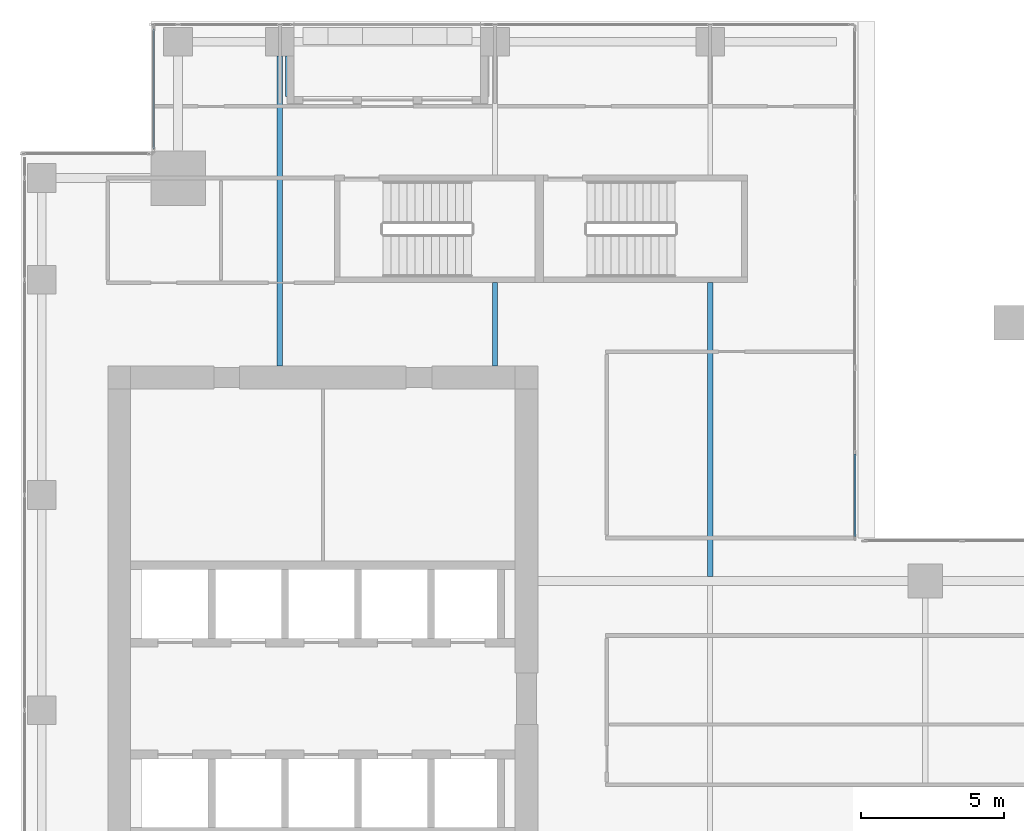
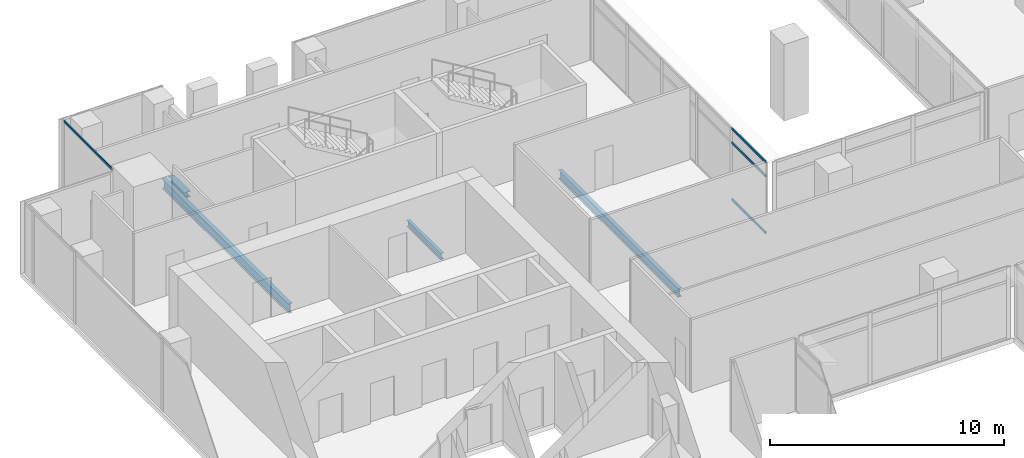
# One storey, part 20 of 38: 4 beams, 4 members, 2 elements without a shape of their own.
"""IFC4 building model written with IfcOpenShell, lengths in metres."""

from ifc_helpers import new_model, si_unit, direction, frame, origin, origin_2d, place, context, subcontext, project, spatial, hollow_rectangle, i_section, extrude, source, transform, mapped, material, material_profile, profile_set, type_object, element, aggregate, save


model = new_model("IFC4")

# Units and contexts
model_context = context("Model", 3, precision=1e-05, world=origin(), true_north=direction((0.0, 1.0)))
body_context = subcontext(model_context, "Body", "Model", "MODEL_VIEW")
ifc_project = project(units=[si_unit("LENGTHUNIT", "METRE"), si_unit("AREAUNIT", "SQUARE_METRE"), si_unit("VOLUMEUNIT", "CUBIC_METRE"), si_unit("PLANEANGLEUNIT", "RADIAN"), si_unit("MASSUNIT", "GRAM", prefix="KILO")], contexts=[model_context])

# Site, building, storey
site_placement = place(None, origin())
site = spatial("IfcSite", under=ifc_project, at=site_placement, CompositionType="ELEMENT")
building_placement = place(site_placement, origin())
building = spatial("IfcBuilding", under=site, at=building_placement, Name="Khomas Fold Tower", CompositionType="ELEMENT")
storey_placement = place(building_placement, frame((0.0, 0.0, 172.699951171875)))
storey = spatial("IfcBuildingStorey", under=building, at=storey_placement, Name="L37", CompositionType="ELEMENT", Elevation=172.699951171875)

# Beams
ifc_material_1 = material(Name="Steel S355", Category="steel")
ifc_material_profile_1 = material_profile(ifc_material_1, i_section(OverallWidth=0.18994140625, OverallDepth=0.449951171875, WebThickness=0.009521484375, FlangeThickness=0.0146484375, at=origin_2d()), Name="IPE 450")
ifc_profile_set_1 = profile_set([ifc_material_profile_1], Name="Steel S355")
beam_type_1 = type_object("IfcBeamType", Name="IPE 450 beam JB4", PredefinedType="BEAM", material=ifc_profile_set_1)
shared_shape_1 = source(origin(), body_context, "Body", "SweptSolid", [
    extrude(i_section(OverallWidth=0.18994140625, OverallDepth=0.449951171875, WebThickness=0.009521484375, FlangeThickness=0.0146484375, at=origin_2d()), origin(), (0.0, 0.0, 1.0), 10.25),
])
beam_1_placement = place(storey_placement, frame((27.0, 31.64990234375, -0.474853515625), z_axis=(0.0, 1.0, 0.0), x_axis=(-1.0, 0.0, 0.0)))
element("IfcBeam", 1, at=beam_1_placement, inside=storey, type_object=beam_type_1, Name="JB4", PredefinedType="BEAM", context=body_context, shape_type="MappedRepresentation", body=[
    mapped(shared_shape_1, transform((0.0, 0.0, 0.0))),
])
ifc_material_2 = material(Name="Steel S355", Category="steel")
ifc_material_profile_2 = material_profile(ifc_material_2, i_section(OverallWidth=0.199951171875, OverallDepth=0.5, WebThickness=0.01025390625, FlangeThickness=0.01611328125, at=origin_2d()), Name="IPE 500")
ifc_profile_set_2 = profile_set([ifc_material_profile_2], Name="Steel S355")
beam_type_2 = type_object("IfcBeamType", Name="IPE 500 beam JB5", PredefinedType="BEAM", material=ifc_profile_set_2)
shared_shape_2 = source(origin(), body_context, "Body", "SweptSolid", [
    extrude(i_section(OverallWidth=0.199951171875, OverallDepth=0.5, WebThickness=0.01025390625, FlangeThickness=0.01611328125, at=origin_2d()), origin(), (0.0, 0.0, 1.0), 10.800048828125),
])
beam_2_placement = place(storey_placement, frame((12.0, 39.0, -0.5), z_axis=(0.0, 1.0, 0.0), x_axis=(-1.0, 0.0, 0.0)))
element("IfcBeam", 2, at=beam_2_placement, inside=storey, type_object=beam_type_2, Name="JB5", PredefinedType="BEAM", context=body_context, shape_type="MappedRepresentation", body=[
    mapped(shared_shape_2, transform((0.0, 0.0, 0.0))),
])
ifc_material_3 = material(Name="Steel S355", Category="steel")
ifc_material_profile_3 = material_profile(ifc_material_3, i_section(OverallWidth=0.159912109375, OverallDepth=0.330078125, WebThickness=0.007568359375, FlangeThickness=0.011474609375, at=origin_2d()), Name="IPE 330")
ifc_profile_set_3 = profile_set([ifc_material_profile_3], Name="Steel S355")
beam_type_3 = type_object("IfcBeamType", Name="IPE 330 beam JB1", PredefinedType="BEAM", material=ifc_profile_set_3)
shared_shape_3 = source(origin(), body_context, "Body", "SweptSolid", [
    extrude(i_section(OverallWidth=0.159912109375, OverallDepth=0.330078125, WebThickness=0.007568359375, FlangeThickness=0.011474609375, at=origin_2d()), origin(), (0.0, 0.0, 1.0), 2.89990234375),
])
beam_3_placement = place(storey_placement, frame((19.5, 39.0, -0.4150390625), z_axis=(0.0, 1.0, 0.0), x_axis=(-1.0, 0.0, 0.0)))
element("IfcBeam", 3, at=beam_3_placement, inside=storey, type_object=beam_type_3, Name="JB1", PredefinedType="BEAM", context=body_context, shape_type="MappedRepresentation", body=[
    mapped(shared_shape_3, transform((0.0, 0.0, 0.0))),
])
ifc_material_4 = material(Name="Steel S355", Category="steel")
ifc_material_profile_4 = material_profile(ifc_material_4, i_section(OverallWidth=0.300048828125, OverallDepth=0.300048828125, WebThickness=0.010986328125, FlangeThickness=0.01904296875, at=origin_2d()), Name="HE 300 B")
ifc_profile_set_4 = profile_set([ifc_material_profile_4], Name="Steel S355")
beam_type_4 = type_object("IfcBeamType", Name="HE 300 B beam BB1", PredefinedType="BEAM", material=ifc_profile_set_4)
shared_shape_4 = source(origin(), body_context, "Body", "SweptSolid", [
    extrude(i_section(OverallWidth=0.300048828125, OverallDepth=0.300048828125, WebThickness=0.010986328125, FlangeThickness=0.01904296875, at=origin_2d()), origin(), (0.0, 0.0, 1.0), 1.400146484375),
])
beam_4_placement = place(storey_placement, frame((12.35009765625, 48.39990234375, -0.39990234375), z_axis=(0.0, 1.0, 0.0), x_axis=(-1.0, 0.0, 0.0)))
element("IfcBeam", 4, at=beam_4_placement, inside=storey, type_object=beam_type_4, Name="BB1", PredefinedType="BEAM", context=body_context, shape_type="MappedRepresentation", body=[
    mapped(shared_shape_4, transform((0.0, 0.0, 0.0))),
])

# Curtain wall, member
ifc_material_5 = material(Name="Aluminium framed double glazing", Category="aluminium")
curtain_wall_type_1 = type_object("IfcCurtainWallType", Name="SK-Unitised clear-glass wall, office floors CW2", PredefinedType="NOTDEFINED", material=ifc_material_5)
curtain_wall_1_placement = place(storey_placement, origin())
curtain_wall_1 = element("IfcCurtainWall", 5, at=curtain_wall_1_placement, inside=storey, type_object=curtain_wall_type_1, Name="CW2 corner return L37 16", PredefinedType="NOTDEFINED")
ifc_material_6 = material(Name="Aluminium", Category="aluminium")
ifc_material_profile_5 = material_profile(ifc_material_6, hollow_rectangle(XDim=0.050048828125, YDim=0.110107421875, WallThickness=0.00390625, at=origin_2d()), Name="SK-Unitised clear-glass wall, office floors transom CW2-T")
ifc_profile_set_5 = profile_set([ifc_material_profile_5], Name="Aluminium")
member_type_1 = type_object("IfcMemberType", Name="SK-Unitised clear-glass wall, office floors transom CW2-T", PredefinedType="USERDEFINED", material=ifc_profile_set_5)
shared_shape_5 = source(origin(), body_context, "Body", "SweptSolid", [
    extrude(hollow_rectangle(XDim=0.050048828125, YDim=0.110107421875, WallThickness=0.00390625, at=origin_2d()), origin(), (0.0, 0.0, 1.0), 4.179931640625),
])
member_1_placement = place(storey_placement, frame((7.60009765625, 50.739990234375, 3.695068359375), z_axis=(0.0, -1.0, 0.0), x_axis=(1.0, 0.0, 0.0)))
member_1 = element("IfcMember", 6, at=member_1_placement, type_object=member_type_1, Name="CW2 transom 1", ObjectType="TRANSOM", PredefinedType="USERDEFINED", context=body_context, shape_type="MappedRepresentation", body=[
    mapped(shared_shape_5, transform((0.0, 0.0, 0.0))),
])
aggregate(curtain_wall_1, [member_1])

# Curtain wall, members
ifc_material_7 = material(Name="Aluminium framed double glazing", Category="aluminium")
curtain_wall_type_2 = type_object("IfcCurtainWallType", Name="Notch glazing GN-CW", PredefinedType="NOTDEFINED", material=ifc_material_7)
curtain_wall_2_placement = place(storey_placement, origin())
curtain_wall_2 = element("IfcCurtainWall", 7, at=curtain_wall_2_placement, inside=storey, type_object=curtain_wall_type_2, Name="Notch glazing run", PredefinedType="NOTDEFINED")
ifc_material_8 = material(Name="Aluminium", Category="aluminium")
ifc_material_profile_6 = material_profile(ifc_material_8, hollow_rectangle(XDim=0.06005859375, YDim=0.1201171875, WallThickness=0.00390625, at=origin_2d()), Name="Notch glazing transom GN-CW-T")
ifc_profile_set_6 = profile_set([ifc_material_profile_6], Name="Aluminium")
member_type_2 = type_object("IfcMemberType", Name="Notch glazing transom GN-CW-T", PredefinedType="USERDEFINED", material=ifc_profile_set_6)
shared_shape_6 = source(origin(), body_context, "Body", "SweptSolid", [
    extrude(hollow_rectangle(XDim=0.06005859375, YDim=0.1201171875, WallThickness=0.00390625, at=origin_2d()), origin(), (0.0, 0.0, 1.0), 2.876708984375),
])
member_2_placement = place(storey_placement, frame((32.050048828125, 33.06005859375, 0.030029296875), z_axis=(0.0, 1.0, 0.0), x_axis=(-1.0, 0.0, 0.0)))
member_2 = element("IfcMember", 8, at=member_2_placement, type_object=member_type_2, Name="GN-CW transom 1.1", ObjectType="TRANSOM", PredefinedType="USERDEFINED", context=body_context, shape_type="MappedRepresentation", body=[
    mapped(shared_shape_6, transform((0.0, 0.0, 0.0))),
])
member_3_placement = place(storey_placement, frame((32.050048828125, 33.06005859375, 3.0), z_axis=(0.0, 1.0, 0.0), x_axis=(-1.0, 0.0, 0.0)))
member_3 = element("IfcMember", 9, at=member_3_placement, type_object=member_type_2, Name="GN-CW transom 1.2", ObjectType="TRANSOM", PredefinedType="USERDEFINED", context=body_context, shape_type="MappedRepresentation", body=[
    mapped(shared_shape_6, transform((0.0, 0.0, 0.0))),
])
member_4_placement = place(storey_placement, frame((32.050048828125, 33.06005859375, 3.719970703125), z_axis=(0.0, 1.0, 0.0), x_axis=(-1.0, 0.0, 0.0)))
member_4 = element("IfcMember", 10, at=member_4_placement, type_object=member_type_2, Name="GN-CW transom 1.3", ObjectType="TRANSOM", PredefinedType="USERDEFINED", context=body_context, shape_type="MappedRepresentation", body=[
    mapped(shared_shape_6, transform((0.0, 0.0, 0.0))),
])
aggregate(curtain_wall_2, [member_2, member_3, member_4])

save(model, "model.ifc")
